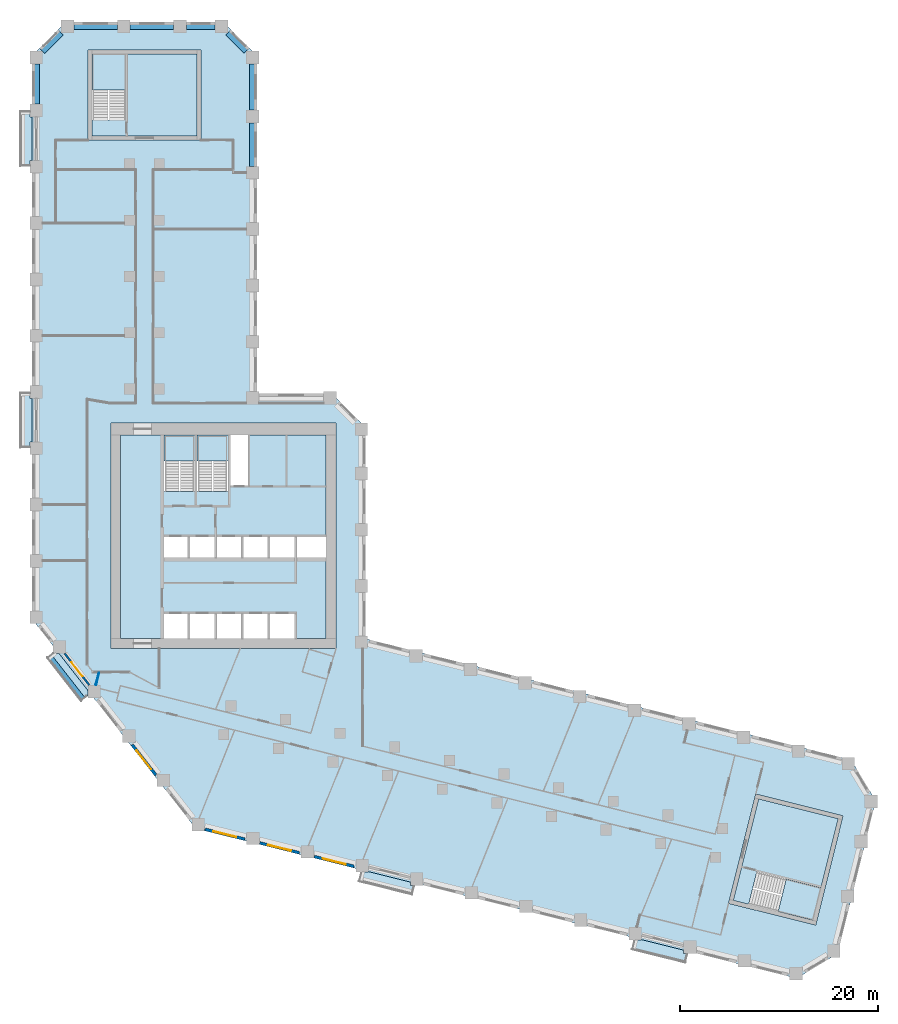
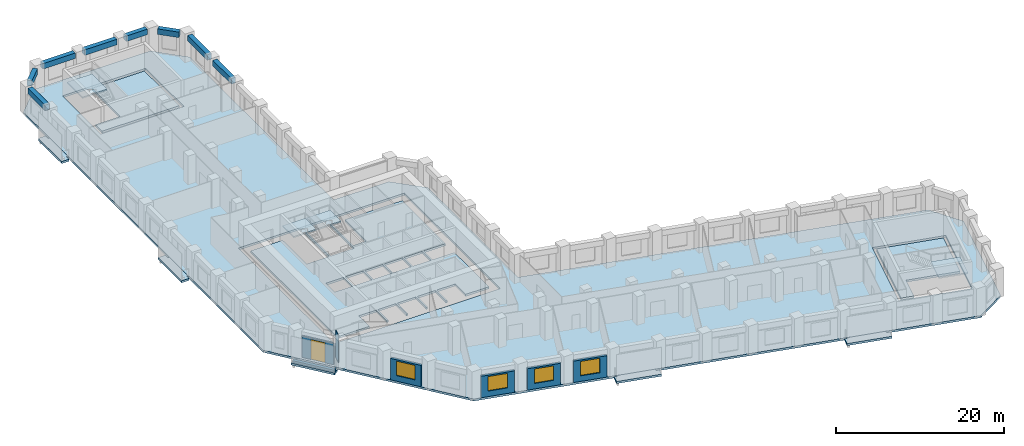
# One storey, part 2 of 10: 13 slabs, 8 beams, 7 walls, 4 windows, 1 door, 5 openings, 4 elements without a shape of their own.
"""IFC4 building model written with IfcOpenShell, lengths in metres."""

from ifc_helpers import new_model, si_unit, direction, frame, frame_2d, origin, origin_2d, place, context, subcontext, project, spatial, polyline, rectangle, outline, extrude, material, layer, layer_set, material_profile, profile_set, type_object, element, fill, aggregate, save


model = new_model("IFC4")

# Units and contexts
model_context = context("Model", 3, precision=1e-05, world=origin(), true_north=direction((0.0, 1.0)))
body_context = subcontext(model_context, "Body", "Model", "MODEL_VIEW")
ifc_project = project(units=[si_unit("LENGTHUNIT", "METRE"), si_unit("AREAUNIT", "SQUARE_METRE"), si_unit("VOLUMEUNIT", "CUBIC_METRE"), si_unit("PLANEANGLEUNIT", "RADIAN"), si_unit("MASSUNIT", "GRAM", prefix="KILO")], contexts=[model_context])

# Site, building, storey
site_placement = place(None, origin())
site = spatial("IfcSite", under=ifc_project, at=site_placement, CompositionType="ELEMENT")
building_placement = place(site_placement, origin())
building = spatial("IfcBuilding", under=site, at=building_placement, Name="Meshkara Civic Tower", CompositionType="ELEMENT")
storey_placement = place(building_placement, frame((0.0, 0.0, 122.39990234375)))
storey = spatial("IfcBuildingStorey", under=building, at=storey_placement, Name="L27", CompositionType="ELEMENT", Elevation=122.39990234375)

# Beams
ifc_material_1 = material(Name="Concrete C70", Category="concrete")
ifc_material_profile = material_profile(ifc_material_1, rectangle(XDim=0.60009765625, YDim=0.800048828125, at=origin_2d()))
ifc_profile_set = profile_set([ifc_material_profile], Name="Concrete C70")
beam_type = type_object("IfcBeamType", Name="Spandrel beam RC 600x800 C70", PredefinedType="BEAM", material=ifc_profile_set)
beam_1_placement = place(storey_placement, frame((22.35009765625, 62.89501953125, 3.5), z_axis=(0.0, 1.0, 0.0), x_axis=(-1.0, 0.0, 0.0)))
element("IfcBeam", 1, at=beam_1_placement, inside=storey, type_object=beam_type, Name="Spandrel beam AE04-AE05", PredefinedType="BEAM", context=body_context, shape_type="SweptSolid", body=[
    extrude(rectangle(XDim=0.60009765625, YDim=0.800048828125, at=origin_2d()), origin(), (0.0, 0.0, 1.0), 4.409912109375),
])
beam_2_placement = place(storey_placement, frame((22.35009765625, 68.594970703125, 3.5), z_axis=(0.0, 1.0, 0.0), x_axis=(-1.0, 0.0, 0.0)))
element("IfcBeam", 2, at=beam_2_placement, inside=storey, type_object=beam_type, Name="Spandrel beam AE05-AEEP1", PredefinedType="BEAM", context=body_context, shape_type="SweptSolid", body=[
    extrude(rectangle(XDim=0.60009765625, YDim=0.800048828125, at=origin_2d()), origin(), (0.0, 0.0, 1.0), 4.674072265625),
])
beam_3_placement = place(storey_placement, frame((21.70361328125, 74.560546875, 3.5), z_axis=(-0.707106781187, 0.707106781187, 0.0), x_axis=(-0.707106781187, -0.707106781187, 0.0)))
element("IfcBeam", 3, at=beam_3_placement, inside=storey, type_object=beam_type, Name="Spandrel beam AEEP1-ATiEP1", PredefinedType="BEAM", context=body_context, shape_type="SweptSolid", body=[
    extrude(rectangle(XDim=0.60009765625, YDim=0.800048828125, at=origin_2d()), origin(), (0.0, 0.0, 1.0), 2.634765625),
])
beam_4_placement = place(storey_placement, frame((18.549072265625, 77.070068359375, 3.5), z_axis=(-1.0, 0.0, 0.0), x_axis=(0.0, -1.0, 0.0)))
element("IfcBeam", 4, at=beam_4_placement, inside=storey, type_object=beam_type, Name="Spandrel beam AT02-P1-ATiEP1", PredefinedType="BEAM", context=body_context, shape_type="SweptSolid", body=[
    extrude(rectangle(XDim=0.60009765625, YDim=0.800048828125, at=origin_2d()), origin(), (0.0, 0.0, 1.0), 2.898193359375),
])
beam_5_placement = place(storey_placement, frame((14.361083984375, 77.070068359375, 3.5), z_axis=(-1.0, 0.0, 0.0), x_axis=(0.0, -1.0, 0.0)))
element("IfcBeam", 5, at=beam_5_placement, inside=storey, type_object=beam_type, Name="Spandrel beam AT01-P1-AT02-P1", PredefinedType="BEAM", context=body_context, shape_type="SweptSolid", body=[
    extrude(rectangle(XDim=0.60009765625, YDim=0.800048828125, at=origin_2d()), origin(), (0.0, 0.0, 1.0), 4.41015625),
])
beam_6_placement = place(storey_placement, frame((8.660888671875, 77.070068359375, 3.5), z_axis=(-1.0, 0.0, 0.0), x_axis=(0.0, -1.0, 0.0)))
element("IfcBeam", 6, at=beam_6_placement, inside=storey, type_object=beam_type, Name="Spandrel beam AT00-P1-AT01-P1", PredefinedType="BEAM", context=body_context, shape_type="SweptSolid", body=[
    extrude(rectangle(XDim=0.60009765625, YDim=0.800048828125, at=origin_2d()), origin(), (0.0, 0.0, 1.0), 4.409912109375),
])
beam_7_placement = place(storey_placement, frame((2.95947265625, 76.423583984375, 3.5), z_axis=(-0.707106781187, -0.707106781187, 0.0), x_axis=(0.707106781187, -0.707106781187, 0.0)))
element("IfcBeam", 7, at=beam_7_placement, inside=storey, type_object=beam_type, Name="Spandrel beam AT00-P1-ATo00-P1", PredefinedType="BEAM", context=body_context, shape_type="SweptSolid", body=[
    extrude(rectangle(XDim=0.60009765625, YDim=0.800048828125, at=origin_2d()), origin(), (0.0, 0.0, 1.0), 2.634765625),
])
beam_8_placement = place(storey_placement, frame((0.449951171875, 73.26904296875, 3.5), z_axis=(0.0, -1.0, 0.0), x_axis=(1.0, 0.0, 0.0)))
element("IfcBeam", 8, at=beam_8_placement, inside=storey, type_object=beam_type, Name="Spandrel beam ATo00-P1-AW09", PredefinedType="BEAM", context=body_context, shape_type="SweptSolid", body=[
    extrude(rectangle(XDim=0.60009765625, YDim=0.800048828125, at=origin_2d()), origin(), (0.0, 0.0, 1.0), 4.069091796875),
])

# Slabs
ifc_material_2 = material(Name="Concrete C40", Category="concrete")
ifc_layer_1 = layer(ifc_material_2, 0.300048828125)
ifc_layer_set_1 = layer_set([ifc_layer_1], Name="BALCONY SLAB")
slab_type_1 = type_object("IfcSlabType", Name="BALCONY SLAB", PredefinedType="FLOOR", material=ifc_layer_set_1)
slab_1_placement = place(storey_placement, frame((0.0, 0.0, -0.2998046875)))
element("IfcSlab", 9, at=slab_1_placement, inside=storey, type_object=slab_type_1, Name="Balcony slab", PredefinedType="FLOOR", context=body_context, shape_type="SweptSolid", body=[
    extrude(outline(polyline([(-1.199951171875, 62.9150390625), (-1.199951171875, 68.4951171875), (-0.199951171875, 68.4951171875), (-0.199951171875, 67.905029296875), (0.0, 67.905029296875), (0.0, 63.5048828125), (-0.199951171875, 63.5048828125), (-0.199951171875, 62.9150390625), (-1.199951171875, 62.9150390625)])), origin(), (0.0, 0.0, 1.0), 0.2998046875),
])
slab_2_placement = place(storey_placement, frame((0.0, 0.0, -0.2998046875)))
element("IfcSlab", 10, at=slab_2_placement, inside=storey, type_object=slab_type_1, Name="Balcony slab", PredefinedType="FLOOR", context=body_context, shape_type="SweptSolid", body=[
    extrude(outline(polyline([(-1.199951171875, 34.4150390625), (-1.199951171875, 39.9951171875), (-0.199951171875, 39.9951171875), (-0.199951171875, 39.405029296875), (0.0, 39.405029296875), (0.0, 35.0048828125), (-0.199951171875, 35.0048828125), (-0.199951171875, 34.4150390625), (-1.199951171875, 34.4150390625)])), origin(), (0.0, 0.0, 1.0), 0.2998046875),
])
slab_3_placement = place(storey_placement, frame((0.0, 0.0, -0.2998046875)))
element("IfcSlab", 11, at=slab_3_placement, inside=storey, type_object=slab_type_1, Name="Balcony slab", PredefinedType="FLOOR", context=body_context, shape_type="SweptSolid", body=[
    extrude(outline(polyline([(4.986083984375, 8.76904296875), (1.551025390625, 13.166015625), (2.1640625, 13.64501953125), (2.1640625, 13.5791015625), (2.7509765625, 13.5791015625), (5.673095703125, 9.839111328125), (5.673095703125, 9.304931640625), (4.986083984375, 8.76904296875)])), origin(), (0.0, 0.0, 1.0), 0.2998046875),
])
slab_4_placement = place(storey_placement, frame((0.0, 0.0, -0.2998046875)))
element("IfcSlab", 12, at=slab_4_placement, inside=storey, type_object=slab_type_1, Name="Balcony slab", PredefinedType="FLOOR", context=body_context, shape_type="SweptSolid", body=[
    extrude(outline(polyline([(38.51708984375, -10.840087890625), (33.10205078125, -9.489990234375), (33.343017578125, -8.52490234375), (34.093017578125, -8.52490234375), (34.093017578125, -8.5), (38.323974609375, -9.554931640625), (38.323974609375, -9.903076171875), (38.75, -9.903076171875), (38.51708984375, -10.840087890625)])), origin(), (0.0, 0.0, 1.0), 0.2998046875),
])
slab_5_placement = place(storey_placement, frame((0.0, 0.0, -0.2998046875)))
element("IfcSlab", 13, at=slab_5_placement, inside=storey, type_object=slab_type_1, Name="Balcony slab", PredefinedType="FLOOR", context=body_context, shape_type="SweptSolid", body=[
    extrude(outline(polyline([(66.169921875, -17.73388671875), (60.756103515625, -16.385009765625), (60.9970703125, -15.4189453125), (61.7470703125, -15.4189453125), (61.7470703125, -15.39501953125), (65.97705078125, -16.449951171875), (65.97705078125, -16.798095703125), (66.403076171875, -16.798095703125), (66.169921875, -17.73388671875)])), origin(), (0.0, 0.0, 1.0), 0.2998046875),
])
ifc_material_3 = material(Name="Concrete C40/50", Category="concrete")
ifc_layer_2 = layer(ifc_material_3, 0.300048828125)
ifc_layer_set_2 = layer_set([ifc_layer_2], Name="Core floor slab 300 C40/50")
slab_type_2 = type_object("IfcSlabType", Name="Core floor slab 300 C40/50", PredefinedType="FLOOR", material=ifc_layer_set_2)
slab_6_placement = place(storey_placement, frame((0.0, 0.0, -0.2998046875)))
element("IfcSlab", 14, at=slab_6_placement, inside=storey, type_object=slab_type_2, Name="Core floor K", PredefinedType="FLOOR", context=body_context, shape_type="SweptSolid", body=[
    extrude(outline(polyline([(9.0, 35.699951171875), (13.39990234375, 35.699951171875), (13.39990234375, 30.00146484375), (16.5, 30.00146484375), (16.5, 35.699951171875), (16.699951171875, 35.699951171875), (16.699951171875, 30.00146484375), (19.89990234375, 30.00146484375), (19.89990234375, 35.699951171875), (20.10009765625, 35.699951171875), (20.10009765625, 30.574951171875), (21.925048828125, 30.574951171875), (21.925048828125, 35.699951171875), (29.800048828125, 35.699951171875), (29.800048828125, 25.39990234375), (26.800048828125, 25.39990234375), (26.800048828125, 23.300048828125), (29.800048828125, 23.300048828125), (29.800048828125, 15.10009765625), (26.60009765625, 15.10009765625), (26.60009765625, 17.60009765625), (24.10009765625, 17.60009765625), (24.10009765625, 15.10009765625), (23.89990234375, 15.10009765625), (23.89990234375, 17.60009765625), (21.39990234375, 17.60009765625), (21.39990234375, 15.10009765625), (21.199951171875, 15.10009765625), (21.199951171875, 17.60009765625), (18.699951171875, 17.60009765625), (18.699951171875, 15.10009765625), (18.5, 15.10009765625), (18.5, 17.60009765625), (16.0, 17.60009765625), (16.0, 15.10009765625), (15.800048828125, 15.10009765625), (15.800048828125, 17.60009765625), (13.39990234375, 17.60009765625), (13.39990234375, 15.10009765625), (9.0, 15.10009765625), (9.0, 35.699951171875)]), holes=[polyline([(13.39990234375, 25.39990234375), (13.39990234375, 23.300048828125), (15.800048828125, 23.300048828125), (15.800048828125, 25.39990234375), (13.39990234375, 25.39990234375)]), polyline([(18.5, 23.300048828125), (18.5, 25.39990234375), (16.0, 25.39990234375), (16.0, 23.300048828125), (18.5, 23.300048828125)]), polyline([(18.699951171875, 25.39990234375), (18.699951171875, 23.300048828125), (21.199951171875, 23.300048828125), (21.199951171875, 25.39990234375), (18.699951171875, 25.39990234375)]), polyline([(23.89990234375, 23.300048828125), (23.89990234375, 25.39990234375), (21.39990234375, 25.39990234375), (21.39990234375, 23.300048828125), (23.89990234375, 23.300048828125)]), polyline([(26.60009765625, 23.300048828125), (26.60009765625, 25.39990234375), (24.10009765625, 25.39990234375), (24.10009765625, 23.300048828125), (26.60009765625, 23.300048828125)])]), origin(), (0.0, 0.0, 1.0), 0.2998046875),
])
slab_7_placement = place(storey_placement, frame((0.0, 0.0, -0.2998046875)))
element("IfcSlab", 15, at=slab_7_placement, inside=storey, type_object=slab_type_2, Name="Core floor EA", PredefinedType="FLOOR", context=body_context, shape_type="SweptSolid", body=[
    extrude(outline(polyline([(16.699951171875, 65.969970703125), (16.699951171875, 74.27001953125), (9.5, 74.27001953125), (9.5, 67.571533203125), (6.10009765625, 67.571533203125), (6.10009765625, 65.969970703125), (16.699951171875, 65.969970703125)])), origin(), (0.0, 0.0, 1.0), 0.2998046875),
])
slab_8_placement = place(storey_placement, frame((0.0, 0.0, -0.2998046875)))
element("IfcSlab", 16, at=slab_8_placement, inside=storey, type_object=slab_type_2, Name="Core floor EB", PredefinedType="FLOOR", context=body_context, shape_type="SweptSolid", body=[
    extrude(outline(polyline([(73.581298828125, -1.134521484375), (81.634521484375, -3.142578125), (79.892822265625, -10.128662109375), (73.393310546875, -8.508056640625), (72.57080078125, -11.80712890625), (71.016845703125, -11.419677734375), (73.581298828125, -1.134521484375)])), origin(), (0.0, 0.0, 1.0), 0.2998046875),
])

# Stair, slab
ifc_material_4 = material(Name="Precast concrete C40/50", Category="concrete")
stair_type_1 = type_object("IfcStairType", Name="Exit stair half-turn 24 risers precast", PredefinedType="HALF_TURN_STAIR", material=ifc_material_4)
stair_1_placement = place(storey_placement, origin())
stair_1 = element("IfcStair", 17, at=stair_1_placement, inside=storey, type_object=stair_type_1, Name="L27 exit stair 1", PredefinedType="HALF_TURN_STAIR")
ifc_material_5 = material(Name="Precast concrete C40/50", Category="concrete")
ifc_layer_3 = layer(ifc_material_5, 0.199951171875)
ifc_layer_set_3 = layer_set([ifc_layer_3], Name="Exit stair landing 200")
slab_type_3 = type_object("IfcSlabType", Name="Exit stair landing 200", PredefinedType="LANDING", material=ifc_layer_set_3)
slab_9_placement = place(storey_placement, frame((0.0, 0.0, 1.900146484375)))
slab_9 = element("IfcSlab", 18, at=slab_9_placement, type_object=slab_type_3, Name="ST1 landing 1", PredefinedType="LANDING", context=body_context, shape_type="SweptSolid", body=[
    extrude(outline(polyline([(16.5, 33.07861328125), (16.5, 35.699951171875), (13.39990234375, 35.699951171875), (13.39990234375, 33.07861328125), (16.5, 33.07861328125)])), origin(), (0.0, 0.0, 1.0), 0.199951171875),
])
aggregate(stair_1, [slab_9])

stair_2_placement = place(storey_placement, origin())
stair_2 = element("IfcStair", 19, at=stair_2_placement, inside=storey, type_object=stair_type_1, Name="L27 exit stair 2", PredefinedType="HALF_TURN_STAIR")
slab_10_placement = place(storey_placement, frame((0.0, 0.0, 1.900146484375)))
slab_10 = element("IfcSlab", 20, at=slab_10_placement, type_object=slab_type_3, Name="ST2 landing 1", PredefinedType="LANDING", context=body_context, shape_type="SweptSolid", body=[
    extrude(outline(polyline([(19.89990234375, 33.07861328125), (19.89990234375, 35.699951171875), (16.699951171875, 35.699951171875), (16.699951171875, 33.07861328125), (19.89990234375, 33.07861328125)])), origin(), (0.0, 0.0, 1.0), 0.199951171875),
])
aggregate(stair_2, [slab_10])

ifc_material_6 = material(Name="Precast concrete C40/50", Category="concrete")
stair_type_2 = type_object("IfcStairType", Name="Exit stair half-turn 24 risers 1600 precast", PredefinedType="HALF_TURN_STAIR", material=ifc_material_6)
stair_3_placement = place(storey_placement, origin())
stair_3 = element("IfcStair", 21, at=stair_3_placement, inside=storey, type_object=stair_type_2, Name="L27 exit stair A from L20", PredefinedType="HALF_TURN_STAIR")
slab_11_placement = place(storey_placement, frame((0.0, 0.0, 1.900146484375)))
slab_11 = element("IfcSlab", 22, at=slab_11_placement, type_object=slab_type_3, Name="ESA2 landing 1", PredefinedType="LANDING", context=body_context, shape_type="SweptSolid", body=[
    extrude(outline(polyline([(9.5, 70.6484375), (9.5, 74.27001953125), (6.10009765625, 74.27001953125), (6.10009765625, 70.6484375), (9.5, 70.6484375)])), origin(), (0.0, 0.0, 1.0), 0.199951171875),
])
aggregate(stair_3, [slab_11])

stair_4_placement = place(storey_placement, origin())
stair_4 = element("IfcStair", 23, at=stair_4_placement, inside=storey, type_object=stair_type_2, Name="L27 exit stair B from L20", PredefinedType="HALF_TURN_STAIR")
slab_12_placement = place(storey_placement, frame((0.0, 0.0, 1.900146484375)))
slab_12 = element("IfcSlab", 24, at=slab_12_placement, type_object=slab_type_3, Name="ESB2 landing 1", PredefinedType="LANDING", context=body_context, shape_type="SweptSolid", body=[
    extrude(outline(polyline([(75.5556640625, -12.55224609375), (79.06982421875, -13.428955078125), (79.89306640625, -10.12890625), (76.379150390625, -9.25244140625), (75.5556640625, -12.55224609375)])), origin(), (0.0, 0.0, 1.0), 0.199951171875),
])
aggregate(stair_4, [slab_12])

# Slab
ifc_material_7 = material(Name="Concrete C50", Category="concrete")
ifc_layer_4 = layer(ifc_material_7, 0.300048828125)
ifc_layer_set_4 = layer_set([ifc_layer_4], Name="Post-tensioned flat slab 300 C50")
slab_type_4 = type_object("IfcSlabType", Name="Post-tensioned flat slab 300 C50", PredefinedType="FLOOR", material=ifc_layer_set_4)
slab_13_placement = place(storey_placement, frame((0.0, 0.0, -0.2998046875)))
element("IfcSlab", 25, at=slab_13_placement, inside=storey, type_object=slab_type_4, Name="Post-tensioned flat slab L27", PredefinedType="FLOOR", context=body_context, shape_type="SweptSolid", body=[
    extrude(outline(polyline([(81.574951171875, -16.81396484375), (77.429931640625, -19.304931640625), (16.592041015625, -4.136962890625), (0.0, 17.10009765625), (0.0, 74.10009765625), (3.419921875, 77.52001953125), (19.3798828125, 77.52001953125), (22.800048828125, 74.10009765625), (22.800048828125, 39.89990234375), (30.3798828125, 39.89990234375), (33.800048828125, 36.47998046875), (33.800048828125, 15.071044921875), (82.945068359375, 2.81689453125), (85.43603515625, -1.327880859375), (81.574951171875, -16.81396484375)]), holes=[polyline([(79.362060546875, -13.9130859375), (82.1201171875, -2.85107421875), (73.2900390625, -0.64990234375), (70.531982421875, -11.7109375), (79.362060546875, -13.9130859375)]), polyline([(8.0, 14.10009765625), (30.800048828125, 14.10009765625), (30.800048828125, 36.89990234375), (8.0, 36.89990234375), (8.0, 14.10009765625)]), polyline([(5.699951171875, 74.669921875), (5.699951171875, 65.570068359375), (17.10009765625, 65.570068359375), (17.10009765625, 74.669921875), (5.699951171875, 74.669921875)])]), origin(), (0.0, 0.0, 1.0), 0.2998046875),
])

# Wall, opening, window
ifc_material_8 = material(Name="Insulated infill panel with bronze anodised aluminium cladding", Category="aluminium")
ifc_layer_5 = layer(ifc_material_8, 0.300048828125)
ifc_layer_set_5 = layer_set([ifc_layer_5], Name="EXTERNAL INFILL WALL 300")
wall_type_1 = type_object("IfcWallType", Name="EXTERNAL INFILL WALL 300", PredefinedType="SOLIDWALL", material=ifc_layer_set_5)
wall_1_placement = place(storey_placement, frame((10.157958984375, 4.341064453125, 0.0), z_axis=(0.0, 0.0, 1.0), x_axis=(0.615779754703, -0.787918329332, 0.0)))
wall_1 = element("IfcWall", 26, at=wall_1_placement, inside=storey, type_object=wall_type_1, Name="External wall", PredefinedType="SOLIDWALL", context=body_context, shape_type="SweptSolid", body=[
    extrude(rectangle(XDim=3.874755859375, YDim=0.300048828125, at=frame_2d((1.9375, 0.0))), origin(), (0.0, 0.0, 1.0), 3.10009765625),
])
opening_1_placement = place(wall_1_placement, frame((0.737060546875, 0.0, 0.800048828125)))
opening_1 = element("IfcOpeningElement", 27, at=opening_1_placement, cuts=wall_1, Name="Opening W7", PredefinedType="OPENING", context=body_context, shape_type="SweptSolid", body=[
    extrude(rectangle(XDim=2.39990234375, YDim=2.10009765625, at=frame_2d((1.199951171875, 1.050048828125))), frame((0.0, 0.159912109375, 0.0), z_axis=(0.0, -1.0, 0.0), x_axis=(1.0, 0.0, 0.0)), (0.0, 0.0, 1.0), 0.320068359375),
])
ifc_material_9 = material(Name="Tinted double glazing", Category="glass")
window_type = type_object("IfcWindowType", Name="WINDOW 2400x2100", PartitioningType="DOUBLE_PANEL_VERTICAL", PredefinedType="WINDOW", material=ifc_material_9)
window_1_placement = place(opening_1_placement, origin())
window_1 = element("IfcWindow", 28, at=window_1_placement, inside=storey, type_object=window_type, Name="Window", OverallHeight=2.10009765625, OverallWidth=2.39990234375, PartitioningType="DOUBLE_PANEL_VERTICAL", PredefinedType="WINDOW", context=body_context, shape_type="SweptSolid", body=[
    extrude(rectangle(XDim=2.39990234375, YDim=2.10009765625, at=frame_2d((1.199951171875, 1.050048828125))), frame((0.0, 0.030029296875, 0.0), z_axis=(0.0, -1.0, 0.0), x_axis=(1.0, 0.0, 0.0)), (0.0, 0.0, 1.0), 0.06005859375),
])
fill(opening_1, window_1)

wall_2_placement = place(storey_placement, frame((17.54296875, -4.219970703125, 0.0), z_axis=(0.0, 0.0, 1.0), x_axis=(0.970337184445, -0.241755555227, 0.0)))
wall_2 = element("IfcWall", 29, at=wall_2_placement, inside=storey, type_object=wall_type_1, Name="External wall", PredefinedType="SOLIDWALL", context=body_context, shape_type="SweptSolid", body=[
    extrude(rectangle(XDim=4.124267578125, YDim=0.300048828125, at=frame_2d((2.06201171875, 0.0))), origin(), (0.0, 0.0, 1.0), 3.10009765625),
])
opening_2_placement = place(wall_2_placement, frame((0.862060546875, 0.0, 0.800048828125)))
opening_2 = element("IfcOpeningElement", 30, at=opening_2_placement, cuts=wall_2, Name="Opening W7", PredefinedType="OPENING", context=body_context, shape_type="SweptSolid", body=[
    extrude(rectangle(XDim=2.39990234375, YDim=2.10009765625, at=frame_2d((1.199951171875, 1.050048828125))), frame((0.0, 0.159912109375, 0.0), z_axis=(0.0, -1.0, 0.0), x_axis=(1.0, 0.0, 0.0)), (0.0, 0.0, 1.0), 0.320068359375),
])
window_2_placement = place(opening_2_placement, origin())
window_2 = element("IfcWindow", 31, at=window_2_placement, inside=storey, type_object=window_type, Name="Window", OverallHeight=2.10009765625, OverallWidth=2.39990234375, PartitioningType="DOUBLE_PANEL_VERTICAL", PredefinedType="WINDOW", context=body_context, shape_type="SweptSolid", body=[
    extrude(rectangle(XDim=2.39990234375, YDim=2.10009765625, at=frame_2d((1.199951171875, 1.050048828125))), frame((0.0, 0.030029296875, 0.0), z_axis=(0.0, -1.0, 0.0), x_axis=(1.0, 0.0, 0.0)), (0.0, 0.0, 1.0), 0.06005859375),
])
fill(opening_2, window_2)

wall_3_placement = place(storey_placement, frame((23.073974609375, -5.597900390625, 0.0), z_axis=(0.0, 0.0, 1.0), x_axis=(0.970267747908, -0.242034083076, 0.0)))
wall_3 = element("IfcWall", 32, at=wall_3_placement, inside=storey, type_object=wall_type_1, Name="External wall", PredefinedType="SOLIDWALL", context=body_context, shape_type="SweptSolid", body=[
    extrude(rectangle(XDim=4.12353515625, YDim=0.300048828125, at=frame_2d((2.061767578125, 0.0))), origin(), (0.0, 0.0, 1.0), 3.10009765625),
])
opening_3_placement = place(wall_3_placement, frame((0.862060546875, 0.0, 0.800048828125)))
opening_3 = element("IfcOpeningElement", 33, at=opening_3_placement, cuts=wall_3, Name="Opening W7", PredefinedType="OPENING", context=body_context, shape_type="SweptSolid", body=[
    extrude(rectangle(XDim=2.39990234375, YDim=2.10009765625, at=frame_2d((1.199951171875, 1.050048828125))), frame((0.0, 0.159912109375, 0.0), z_axis=(0.0, -1.0, 0.0), x_axis=(1.0, 0.0, 0.0)), (0.0, 0.0, 1.0), 0.320068359375),
])
window_3_placement = place(opening_3_placement, origin())
window_3 = element("IfcWindow", 34, at=window_3_placement, inside=storey, type_object=window_type, Name="Window", OverallHeight=2.10009765625, OverallWidth=2.39990234375, PartitioningType="DOUBLE_PANEL_VERTICAL", PredefinedType="WINDOW", context=body_context, shape_type="SweptSolid", body=[
    extrude(rectangle(XDim=2.39990234375, YDim=2.10009765625, at=frame_2d((1.199951171875, 1.050048828125))), frame((0.0, 0.030029296875, 0.0), z_axis=(0.0, -1.0, 0.0), x_axis=(1.0, 0.0, 0.0)), (0.0, 0.0, 1.0), 0.06005859375),
])
fill(opening_3, window_3)

wall_4_placement = place(storey_placement, frame((28.60400390625, -6.97705078125, 0.0), z_axis=(0.0, 0.0, 1.0), x_axis=(0.970281616392, -0.241978480223, 0.0)))
wall_4 = element("IfcWall", 35, at=wall_4_placement, inside=storey, type_object=wall_type_1, Name="External wall", PredefinedType="SOLIDWALL", context=body_context, shape_type="SweptSolid", body=[
    extrude(rectangle(XDim=4.12451171875, YDim=0.300048828125, at=frame_2d((2.062255859375, 0.0))), origin(), (0.0, 0.0, 1.0), 3.10009765625),
])
opening_4_placement = place(wall_4_placement, frame((0.862060546875, 0.0, 0.800048828125)))
opening_4 = element("IfcOpeningElement", 36, at=opening_4_placement, cuts=wall_4, Name="Opening W7", PredefinedType="OPENING", context=body_context, shape_type="SweptSolid", body=[
    extrude(rectangle(XDim=2.39990234375, YDim=2.10009765625, at=frame_2d((1.199951171875, 1.050048828125))), frame((0.0, 0.159912109375, 0.0), z_axis=(0.0, -1.0, 0.0), x_axis=(1.0, 0.0, 0.0)), (0.0, 0.0, 1.0), 0.320068359375),
])
window_4_placement = place(opening_4_placement, origin())
window_4 = element("IfcWindow", 37, at=window_4_placement, inside=storey, type_object=window_type, Name="Window", OverallHeight=2.10009765625, OverallWidth=2.39990234375, PartitioningType="DOUBLE_PANEL_VERTICAL", PredefinedType="WINDOW", context=body_context, shape_type="SweptSolid", body=[
    extrude(rectangle(XDim=2.39990234375, YDim=2.10009765625, at=frame_2d((1.199951171875, 1.050048828125))), frame((0.0, 0.030029296875, 0.0), z_axis=(0.0, -1.0, 0.0), x_axis=(1.0, 0.0, 0.0)), (0.0, 0.0, 1.0), 0.06005859375),
])
fill(opening_4, window_4)

# Wall, opening, door
ifc_material_10 = material(Name="Insulated infill panel with bronze anodised aluminium cladding", Category="aluminium")
ifc_layer_6 = layer(ifc_material_10, 0.199951171875)
ifc_layer_set_6 = layer_set([ifc_layer_6], Name="LOGGIA BACK WALL 200")
wall_type_2 = type_object("IfcWallType", Name="LOGGIA BACK WALL 200", PredefinedType="SOLIDWALL", material=ifc_layer_set_6)
wall_5_placement = place(storey_placement, frame((3.322021484375, 13.5791015625, 0.0), z_axis=(0.0, 0.0, 1.0), x_axis=(0.615500153734, -0.78813676526, 0.0)))
wall_5 = element("IfcWall", 38, at=wall_5_placement, inside=storey, type_object=wall_type_2, Name="Loggia wall", PredefinedType="SOLIDWALL", context=body_context, shape_type="SweptSolid", body=[
    extrude(rectangle(XDim=4.05029296875, YDim=0.199951171875, at=frame_2d((2.025146484375, 0.0))), origin(), (0.0, 0.0, 1.0), 3.10009765625),
])
opening_5_placement = place(wall_5_placement, frame((1.125, 0.0, 0.0)))
opening_5 = element("IfcOpeningElement", 39, at=opening_5_placement, cuts=wall_5, Name="Opening L27-L003", PredefinedType="OPENING", context=body_context, shape_type="SweptSolid", body=[
    extrude(rectangle(XDim=1.800048828125, YDim=2.89990234375, at=frame_2d((0.89990234375, 1.449951171875))), frame((0.0, 0.10986328125, 0.0), z_axis=(0.0, -1.0, 0.0), x_axis=(1.0, 0.0, 0.0)), (0.0, 0.0, 1.0), 0.219970703125),
])
ifc_material_11 = material(Name="Tinted double glazing", Category="glass")
door_type = type_object("IfcDoorType", Name="LOGGIA DOOR 1800x2900", OperationType="DOUBLE_DOOR_SINGLE_SWING", PredefinedType="DOOR", material=ifc_material_11)
door_placement = place(opening_5_placement, origin())
door = element("IfcDoor", 40, at=door_placement, inside=storey, type_object=door_type, Name="L27-L003", OperationType="DOUBLE_DOOR_SINGLE_SWING", OverallHeight=2.89990234375, OverallWidth=1.800048828125, PredefinedType="DOOR", context=body_context, shape_type="SweptSolid", body=[
    extrude(rectangle(XDim=1.800048828125, YDim=2.89990234375, at=frame_2d((0.89990234375, 1.449951171875))), frame((0.0, 0.02490234375, 0.0), z_axis=(0.0, -1.0, 0.0), x_axis=(1.0, 0.0, 0.0)), (0.0, 0.0, 1.0), 0.050048828125),
])
fill(opening_5, door)

# Walls
ifc_material_12 = material(Name="Concrete C40", Category="concrete")
ifc_layer_7 = layer(ifc_material_12, 0.39990234375)
ifc_layer_set_7 = layer_set([ifc_layer_7], Name="PLANTER TRAY")
wall_type_3 = type_object("IfcWallType", Name="PLANTER TRAY", PredefinedType="SOLIDWALL", material=ifc_layer_set_7)
wall_6_placement = place(storey_placement, frame((1.87109375, 13.27587890625, 0.0), z_axis=(0.0, 0.0, 1.0), x_axis=(0.615632551218, -0.788033350741, 0.0)))
element("IfcWall", 41, at=wall_6_placement, inside=storey, type_object=wall_type_3, Name="Planter", PredefinedType="SOLIDWALL", context=body_context, shape_type="SweptSolid", body=[
    extrude(rectangle(XDim=5.360107421875, YDim=0.39990234375, at=frame_2d((2.68017578125, 0.0))), origin(), (0.0, 0.0, 1.0), 0.300048828125),
])
ifc_material_13 = material(Name="Partition 100")
ifc_layer_8 = layer(ifc_material_13, 0.10009765625)
ifc_layer_set_8 = layer_set([ifc_layer_8], Name="Partition 100")
wall_type_4 = type_object("IfcWallType", Name="Partition 100", PredefinedType="PARTITIONING", material=ifc_layer_set_8)
wall_7_placement = place(storey_placement, frame((6.797119140625, 11.637939453125, 0.0), z_axis=(0.0, 0.0, 1.0), x_axis=(-0.242000927221, -0.970276018061, 0.0)))
element("IfcWall", 42, at=wall_7_placement, inside=storey, type_object=wall_type_4, Name="L27-W035", PredefinedType="PARTITIONING", context=body_context, shape_type="SweptSolid", body=[
    extrude(rectangle(XDim=1.289306640625, YDim=0.10009765625, at=frame_2d((0.64453125, 0.0))), origin(), (0.0, 0.0, 1.0), 3.900146484375),
])

save(model, "model.ifc")
